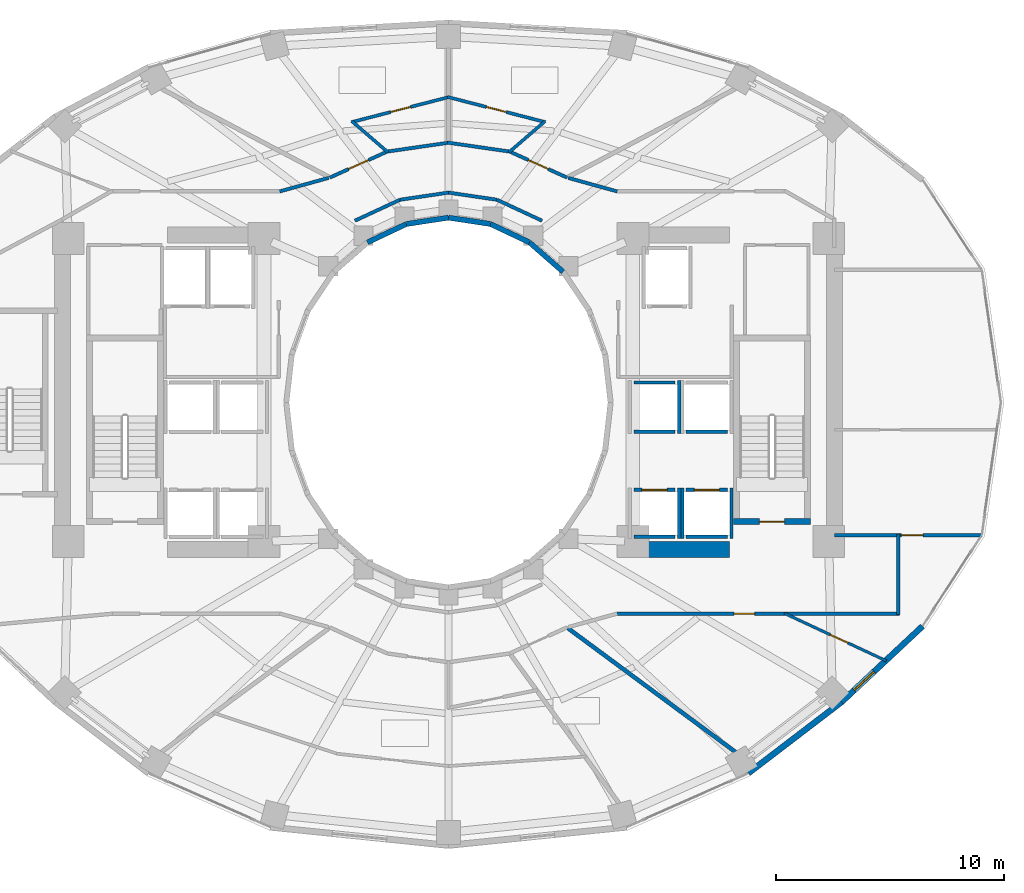
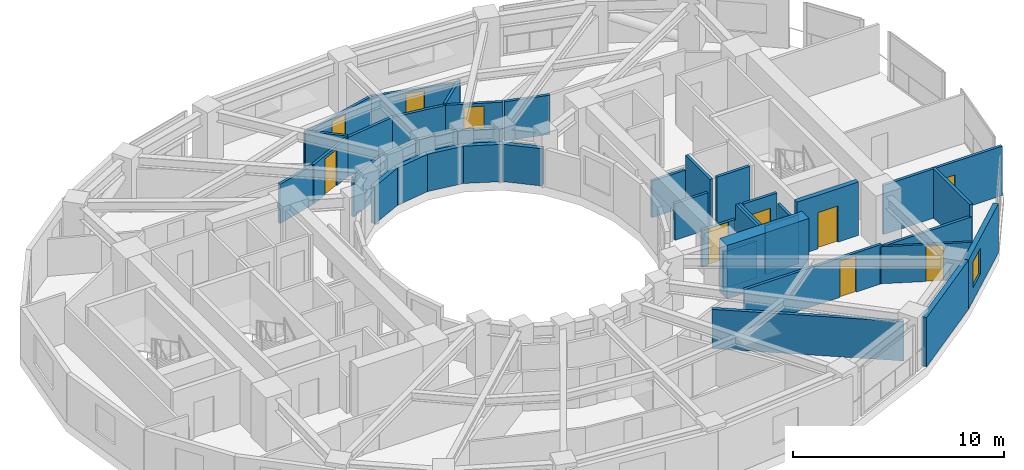
# One storey, part 13 of 18: 40 walls, 10 doors, 1 window, 11 openings.
"""IFC4 building model written with IfcOpenShell, lengths in metres."""

from ifc_helpers import new_model, si_unit, direction, frame, frame_2d, origin, place, context, subcontext, project, spatial, rectangle, extrude, material, layer, layer_set, type_object, element, fill, save


model = new_model("IFC4")

# Units and contexts
model_context = context("Model", 3, precision=1e-05, world=origin(), true_north=direction((0.0, 1.0)))
body_context = subcontext(model_context, "Body", "Model", "MODEL_VIEW")
ifc_project = project(units=[si_unit("LENGTHUNIT", "METRE"), si_unit("AREAUNIT", "SQUARE_METRE"), si_unit("VOLUMEUNIT", "CUBIC_METRE"), si_unit("PLANEANGLEUNIT", "RADIAN"), si_unit("MASSUNIT", "GRAM", prefix="KILO")], contexts=[model_context])

# Site, building, storey
site_placement = place(None, origin())
site = spatial("IfcSite", under=ifc_project, at=site_placement, CompositionType="ELEMENT")
building_placement = place(site_placement, origin())
building = spatial("IfcBuilding", under=site, at=building_placement, Name="Solvane Sanctuary Tower", CompositionType="ELEMENT")
storey_placement = place(building_placement, frame((0.0, 0.0, 94.89990234375)))
storey = spatial("IfcBuildingStorey", under=building, at=storey_placement, Name="L28", CompositionType="ELEMENT", Elevation=94.89990234375)

# Walls
ifc_material_1 = material(Name="Concrete C60/75", Category="concrete")
ifc_layer_1 = layer(ifc_material_1, 0.699951171875, Name="Concrete C60/75")
ifc_layer_set_1 = layer_set([ifc_layer_1], Name="Concrete C60/75")
wall_type_1 = type_object("IfcWallType", Name="Wall W-CORE-700", PredefinedType="SHEAR", material=ifc_layer_set_1)
wall_1_placement = place(storey_placement, frame((39.85009765625, 16.550048828125, 0.0), z_axis=(0.0, 0.0, 1.0), x_axis=(1.0, 0.0, 0.0)))
element("IfcWall", 1, at=wall_1_placement, inside=storey, type_object=wall_type_1, Name="L28 Core Shear Wall EC-S", PredefinedType="SHEAR", context=body_context, shape_type="SweptSolid", body=[
    extrude(rectangle(XDim=4.5, YDim=0.699951171875, at=frame_2d((2.25, 0.0))), origin(), (0.0, 0.0, 1.0), 3.10009765625),
])
ifc_material_2 = material(Name="Acoustic Gypsum Partition Board")
ifc_layer_2 = layer(ifc_material_2, 0.14990234375, Name="Acoustic Gypsum Partition Board")
ifc_layer_set_2 = layer_set([ifc_layer_2], Name="Acoustic Gypsum Partition Board")
wall_type_2 = type_object("IfcWallType", Name="Wall W-CORR-150", PredefinedType="PARTITIONING", material=ifc_layer_set_2)
wall_2_placement = place(storey_placement, frame((36.110107421875, 30.98486328125, 0.0), z_axis=(0.0, 0.0, 1.0), x_axis=(-0.906943449489, 0.421252393975, 0.0)))
element("IfcWall", 2, at=wall_2_placement, inside=storey, type_object=wall_type_2, Name="L28 Light-Well Corridor Rim Wall N1", PredefinedType="PARTITIONING", context=body_context, shape_type="SweptSolid", body=[
    extrude(rectangle(XDim=2.18603515625, YDim=0.14990234375, at=frame_2d((1.093017578125, 0.0))), origin(), (0.0, 0.0, 1.0), 2.272216796875),
])
for number, where, z_axis, x_axis, name in (
    (3, (34.12744140625, 31.90576171875, 0.0), (0.0, 0.0, 1.0), (-0.989268584896, 0.146108408166, 0.0), "L28 Light-Well Corridor Rim Wall N2"),
    (4, (32.0, 32.219970703125, 0.0), (0.0, 0.0, 1.0), (-0.989268584896, -0.146108408166, 0.0), "L28 Light-Well Corridor Rim Wall N3"),
):
    element("IfcWall", number, at=place(storey_placement, frame(where, z_axis=z_axis, x_axis=x_axis)), inside=storey, type_object=wall_type_2, Name=name, PredefinedType="PARTITIONING", context=body_context, shape_type="SweptSolid", body=[
        extrude(rectangle(XDim=2.150634765625, YDim=0.14990234375, at=frame_2d((1.0751953125, 0.0))), origin(), (0.0, 0.0, 1.0), 2.272216796875),
    ])
wall_3_placement = place(storey_placement, frame((29.87255859375, 31.90576171875, 0.0), z_axis=(0.0, 0.0, 1.0), x_axis=(-0.906943449489, -0.421252393975, 0.0)))
element("IfcWall", 5, at=wall_3_placement, inside=storey, type_object=wall_type_2, Name="L28 Light-Well Corridor Rim Wall N4", PredefinedType="PARTITIONING", context=body_context, shape_type="SweptSolid", body=[
    extrude(rectangle(XDim=2.18603515625, YDim=0.14990234375, at=frame_2d((1.093017578125, 0.0))), origin(), (0.0, 0.0, 1.0), 2.272216796875),
])

# Wall, opening, door
wall_4_placement = place(storey_placement, frame((48.949951171875, 17.1748046875, 0.0), z_axis=(0.0, 0.0, 1.0), x_axis=(1.0, 0.0, 0.0)))
wall_4 = element("IfcWall", 6, at=wall_4_placement, inside=storey, type_object=wall_type_2, Name="L28 East Shoulder South Wall", PredefinedType="PARTITIONING", context=body_context, shape_type="SweptSolid", body=[
    extrude(rectangle(XDim=6.49169921875, YDim=0.14990234375, at=frame_2d((3.245849609375, 0.0))), origin(), (0.0, 0.0, 1.0), 2.85498046875),
])
opening_1_placement = place(wall_4_placement, frame((2.947509765625, 0.0, 0.0)))
opening_1 = element("IfcOpeningElement", 7, at=opening_1_placement, cuts=wall_4, Name="Opening D-L28-08", PredefinedType="OPENING", context=body_context, shape_type="SweptSolid", body=[
    extrude(rectangle(XDim=0.949951171875, YDim=2.10009765625, at=frame_2d((0.47509765625, 1.050048828125))), frame((0.0, 0.0849609375, 0.0), z_axis=(0.0, -1.0, 0.0), x_axis=(1.0, 0.0, 0.0)), (0.0, 0.0, 1.0), 0.169921875),
])
ifc_material_3 = material(Name="Engineered Tropical Hardwood", Category="wood")
door_type_1 = type_object("IfcDoorType", Name="Door D-ROOM-950", OperationType="NOTDEFINED", PredefinedType="DOOR", material=ifc_material_3)
door_1_placement = place(opening_1_placement, origin())
door_1 = element("IfcDoor", 8, at=door_1_placement, inside=storey, type_object=door_type_1, Name="L28 East Shoulder South Door", OperationType="SINGLE_SWING_LEFT", OverallHeight=2.10009765625, OverallWidth=0.949951171875, PredefinedType="DOOR", context=body_context, shape_type="SweptSolid", body=[
    extrude(rectangle(XDim=0.949951171875, YDim=2.10009765625, at=frame_2d((0.47509765625, 1.050048828125))), frame((0.0, 0.02490234375, 0.0), z_axis=(0.0, -1.0, 0.0), x_axis=(1.0, 0.0, 0.0)), (0.0, 0.0, 1.0), 0.050048828125),
])
fill(opening_1, door_1)

# Walls
for number, where, z_axis, x_axis, name in (
    (9, (37.258056640625, 32.86669921875, 0.0), (0.0, 0.0, 1.0), (0.963833843713, -0.266503886865, 0.0), "L28 NE Corner Throat Wall"),
    (10, (26.741943359375, 32.86669921875, 0.0), (0.0, 0.0, 1.0), (-0.963833843713, -0.266503886865, 0.0), "L28 NW Corner Throat Wall"),
):
    element("IfcWall", number, at=place(storey_placement, frame(where, z_axis=z_axis, x_axis=x_axis)), inside=storey, type_object=wall_type_2, Name=name, PredefinedType="PARTITIONING", context=body_context, shape_type="SweptSolid", body=[
        extrude(rectangle(XDim=2.231689453125, YDim=0.14990234375, at=frame_2d((1.11572265625, 0.0))), origin(), (0.0, 0.0, 1.0), 2.272216796875),
    ])
wall_5_placement = place(storey_placement, frame((51.760009765625, 13.679931640625, 0.0), z_axis=(0.0, 0.0, 1.0), x_axis=(0.0, 1.0, 0.0)))
element("IfcWall", 11, at=wall_5_placement, inside=storey, type_object=wall_type_2, Name="L28 SE Corner Closer 1", PredefinedType="PARTITIONING", context=body_context, shape_type="SweptSolid", body=[
    extrude(rectangle(XDim=3.534912109375, YDim=0.14990234375, at=frame_2d((1.767578125, 0.0))), origin(), (0.0, 0.0, 1.0), 2.85498046875),
])

# Wall, opening, door
wall_6_placement = place(storey_placement, frame((39.330078125, 13.719970703125, 0.0), z_axis=(0.0, 0.0, 1.0), x_axis=(1.0, 0.0, 0.0)))
wall_6 = element("IfcWall", 12, at=wall_6_placement, inside=storey, type_object=wall_type_2, Name="L28 SE Corner Corridor Wall", PredefinedType="PARTITIONING", context=body_context, shape_type="SweptSolid", body=[
    extrude(rectangle(XDim=7.52001953125, YDim=0.14990234375, at=frame_2d((3.760009765625, 0.0))), origin(), (0.0, 0.0, 1.0), 2.272216796875),
])
opening_2_placement = place(wall_6_placement, frame((5.219970703125, 0.0, 0.0)))
opening_2 = element("IfcOpeningElement", 13, at=opening_2_placement, cuts=wall_6, Name="Opening D-L28-16", PredefinedType="OPENING", context=body_context, shape_type="SweptSolid", body=[
    extrude(rectangle(XDim=0.89990234375, YDim=2.10009765625, at=frame_2d((0.449951171875, 1.050048828125))), frame((0.0, 0.0849609375, 0.0), z_axis=(0.0, -1.0, 0.0), x_axis=(1.0, 0.0, 0.0)), (0.0, 0.0, 1.0), 0.169921875),
])
door_type_2 = type_object("IfcDoorType", Name="Door D-WET-900", OperationType="NOTDEFINED", PredefinedType="DOOR", material=ifc_material_3)
door_2_placement = place(opening_2_placement, origin())
door_2 = element("IfcDoor", 14, at=door_2_placement, inside=storey, type_object=door_type_2, Name="L28 SE Corner Salon Door", OperationType="SINGLE_SWING_LEFT", OverallHeight=2.10009765625, OverallWidth=0.89990234375, PredefinedType="DOOR", context=body_context, shape_type="SweptSolid", body=[
    extrude(rectangle(XDim=0.89990234375, YDim=2.10009765625, at=frame_2d((0.449951171875, 1.050048828125))), frame((0.0, 0.02490234375, 0.0), z_axis=(0.0, -1.0, 0.0), x_axis=(1.0, 0.0, 0.0)), (0.0, 0.0, 1.0), 0.050048828125),
])
fill(opening_2, door_2)

# Walls
wall_7_placement = place(storey_placement, frame((46.75, 13.719970703125, 0.0), z_axis=(0.0, 0.0, 1.0), x_axis=(1.0, 0.0, 0.0)))
element("IfcWall", 15, at=wall_7_placement, inside=storey, type_object=wall_type_2, Name="L28 SE Corner Wing Wall", PredefinedType="PARTITIONING", context=body_context, shape_type="SweptSolid", body=[
    extrude(rectangle(XDim=5.050048828125, YDim=0.14990234375, at=frame_2d((2.52490234375, 0.0))), origin(), (0.0, 0.0, 1.0), 2.14208984375),
])
wall_8_placement = place(storey_placement, frame((34.743896484375, 34.01416015625, 0.0), z_axis=(0.0, 0.0, 1.0), x_axis=(-0.989761784218, 0.142729150844, 0.0)))
element("IfcWall", 16, at=wall_8_placement, inside=storey, type_object=wall_type_2, Name="L28 En-suite Inner Wall N1", PredefinedType="PARTITIONING", context=body_context, shape_type="SweptSolid", body=[
    extrude(rectangle(XDim=2.822265625, YDim=0.14990234375, at=frame_2d((1.4111328125, 0.0))), origin(), (0.0, 0.0, 1.0), 2.272216796875),
])

# Wall, opening, door
wall_9_placement = place(storey_placement, frame((37.211181640625, 32.87744140625, 0.0), z_axis=(0.0, 0.0, 1.0), x_axis=(-0.910568469686, 0.41335827319, 0.0)))
wall_9 = element("IfcWall", 17, at=wall_9_placement, inside=storey, type_object=wall_type_2, Name="L28 Unit Corridor Wall N1", PredefinedType="PARTITIONING", context=body_context, shape_type="SweptSolid", body=[
    extrude(rectangle(XDim=2.771728515625, YDim=0.14990234375, at=frame_2d((1.3857421875, 0.0))), origin(), (0.0, 0.0, 1.0), 2.272216796875),
])
opening_3_placement = place(wall_9_placement, frame((0.910888671875, 0.0, 0.0)))
opening_3 = element("IfcOpeningElement", 18, at=opening_3_placement, cuts=wall_9, Name="Opening D-L28-18", PredefinedType="OPENING", context=body_context, shape_type="SweptSolid", body=[
    extrude(rectangle(XDim=0.949951171875, YDim=2.10009765625, at=frame_2d((0.47509765625, 1.050048828125))), frame((0.0, 0.0849609375, 0.0), z_axis=(0.0, -1.0, 0.0), x_axis=(1.0, 0.0, 0.0)), (0.0, 0.0, 1.0), 0.169921875),
])
door_3_placement = place(opening_3_placement, origin())
door_3 = element("IfcDoor", 19, at=door_3_placement, inside=storey, type_object=door_type_1, Name="L28 Unit Entrance Door N1", OperationType="SINGLE_SWING_LEFT", OverallHeight=2.10009765625, OverallWidth=0.949951171875, PredefinedType="DOOR", context=body_context, shape_type="SweptSolid", body=[
    extrude(rectangle(XDim=0.949951171875, YDim=2.10009765625, at=frame_2d((0.47509765625, 1.050048828125))), frame((0.0, 0.02490234375, 0.0), z_axis=(0.0, -1.0, 0.0), x_axis=(1.0, 0.0, 0.0)), (0.0, 0.0, 1.0), 0.050048828125),
])
fill(opening_3, door_3)

# Wall
wall_10_placement = place(storey_placement, frame((32.049560546875, 34.4169921875, 0.0), z_axis=(0.0, 0.0, 1.0), x_axis=(-0.989761784218, -0.142729150844, 0.0)))
element("IfcWall", 20, at=wall_10_placement, inside=storey, type_object=wall_type_2, Name="L28 En-suite Inner Wall N2", PredefinedType="PARTITIONING", context=body_context, shape_type="SweptSolid", body=[
    extrude(rectangle(XDim=2.822265625, YDim=0.14990234375, at=frame_2d((1.4111328125, 0.0))), origin(), (0.0, 0.0, 1.0), 2.272216796875),
])

# Wall, opening, door
wall_11_placement = place(storey_placement, frame((29.312744140625, 34.023193359375, 0.0), z_axis=(0.0, 0.0, 1.0), x_axis=(-0.910568469686, -0.41335827319, 0.0)))
wall_11 = element("IfcWall", 21, at=wall_11_placement, inside=storey, type_object=wall_type_2, Name="L28 Unit Corridor Wall N2", PredefinedType="PARTITIONING", context=body_context, shape_type="SweptSolid", body=[
    extrude(rectangle(XDim=2.771728515625, YDim=0.14990234375, at=frame_2d((1.3857421875, 0.0))), origin(), (0.0, 0.0, 1.0), 2.272216796875),
])
opening_4_placement = place(wall_11_placement, frame((0.910888671875, 0.0, 0.0)))
opening_4 = element("IfcOpeningElement", 22, at=opening_4_placement, cuts=wall_11, Name="Opening D-L28-20", PredefinedType="OPENING", context=body_context, shape_type="SweptSolid", body=[
    extrude(rectangle(XDim=0.949951171875, YDim=2.10009765625, at=frame_2d((0.47509765625, 1.050048828125))), frame((0.0, 0.0849609375, 0.0), z_axis=(0.0, -1.0, 0.0), x_axis=(1.0, 0.0, 0.0)), (0.0, 0.0, 1.0), 0.169921875),
])
door_4_placement = place(opening_4_placement, origin())
door_4 = element("IfcDoor", 23, at=door_4_placement, inside=storey, type_object=door_type_1, Name="L28 Unit Entrance Door N2", OperationType="SINGLE_SWING_LEFT", OverallHeight=2.10009765625, OverallWidth=0.949951171875, PredefinedType="DOOR", context=body_context, shape_type="SweptSolid", body=[
    extrude(rectangle(XDim=0.949951171875, YDim=2.10009765625, at=frame_2d((0.47509765625, 1.050048828125))), frame((0.0, 0.02490234375, 0.0), z_axis=(0.0, -1.0, 0.0), x_axis=(1.0, 0.0, 0.0)), (0.0, 0.0, 1.0), 0.050048828125),
])
fill(opening_4, door_4)

# Wall
ifc_material_4 = material(Name="Precast concrete C40/50", Category="concrete")
ifc_layer_3 = layer(ifc_material_4, 0.260009765625, Name="Precast concrete C40/50")
ifc_layer_set_3 = layer_set([ifc_layer_3], Name="Precast concrete C40/50")
wall_type_3 = type_object("IfcWallType", Name="Wall W-EXT-250", PredefinedType="STANDARD", material=ifc_layer_set_3)
wall_12_placement = place(storey_placement, frame((45.17333984375, 6.721923828125, 0.0), z_axis=(0.0, 0.0, 1.0), x_axis=(0.794809810864, 0.606858603427, 0.0)))
element("IfcWall", 24, at=wall_12_placement, inside=storey, type_object=wall_type_3, Name="L28 Ceramic-Printed Facade Wall 20", PredefinedType="STANDARD", context=body_context, shape_type="SweptSolid", body=[
    extrude(rectangle(XDim=5.149169921875, YDim=0.260009765625, at=frame_2d((2.57470703125, 0.0))), origin(), (0.0, 0.0, 1.0), 2.85009765625),
])

# Wall, opening, window
wall_13_placement = place(storey_placement, frame((49.265869140625, 9.8466796875, 0.0), z_axis=(0.0, 0.0, 1.0), x_axis=(0.730162452258, 0.68327358599, 0.0)))
wall_13 = element("IfcWall", 25, at=wall_13_placement, inside=storey, type_object=wall_type_3, Name="L28 Ceramic-Printed Facade Wall 21", PredefinedType="STANDARD", context=body_context, shape_type="SweptSolid", body=[
    extrude(rectangle(XDim=4.868408203125, YDim=0.260009765625, at=frame_2d((2.43408203125, 0.0))), origin(), (0.0, 0.0, 1.0), 2.85009765625),
])
opening_5_placement = place(wall_13_placement, frame((0.754638671875, 0.0, 0.75)))
opening_5 = element("IfcOpeningElement", 26, at=opening_5_placement, cuts=wall_13, Name="Opening WN-OPER-1200", PredefinedType="OPENING", context=body_context, shape_type="SweptSolid", body=[
    extrude(rectangle(XDim=1.199951171875, YDim=1.5, at=frame_2d((0.60009765625, 0.75))), frame((0.0, 0.139892578125, 0.0), z_axis=(0.0, -1.0, 0.0), x_axis=(1.0, 0.0, 0.0)), (0.0, 0.0, 1.0), 0.280029296875),
])
ifc_material_5 = material(Name="Dark Ceramic-Fritted Low-E Glass", Category="glass")
window_type = type_object("IfcWindowType", Name="Window WN-OPER-1200", PartitioningType="SINGLE_PANEL", PredefinedType="WINDOW", material=ifc_material_5)
window_placement = place(opening_5_placement, origin())
window = element("IfcWindow", 27, at=window_placement, inside=storey, type_object=window_type, Name="L28 Operable Facade Window 21", OverallHeight=1.5, OverallWidth=1.199951171875, PartitioningType="SINGLE_PANEL", PredefinedType="WINDOW", context=body_context, shape_type="SweptSolid", body=[
    extrude(rectangle(XDim=1.199951171875, YDim=1.5, at=frame_2d((0.60009765625, 0.75))), frame((0.0, 0.030029296875, 0.0), z_axis=(0.0, -1.0, 0.0), x_axis=(1.0, 0.0, 0.0)), (0.0, 0.0, 1.0), 0.06005859375),
])
fill(opening_5, window)

# Walls
ifc_layer_4 = layer(ifc_material_4, 0.22998046875, Name="Precast concrete C40/50")
ifc_layer_set_4 = layer_set([ifc_layer_4], Name="Precast concrete C40/50")
wall_type_4 = type_object("IfcWallType", Name="Wall W-EXT-SP220", PredefinedType="STANDARD", material=ifc_layer_set_4)
wall_14_placement = place(storey_placement, frame((37.03466796875, 28.74169921875, 0.0), z_axis=(0.0, 0.0, 1.0), x_axis=(-0.752576694707, 0.658504607869, 0.0)))
element("IfcWall", 28, at=wall_14_placement, inside=storey, type_object=wall_type_4, Name="L28 Central Light-Well Wall 03", PredefinedType="STANDARD", context=body_context, shape_type="SweptSolid", body=[
    extrude(rectangle(XDim=1.95947265625, YDim=0.22998046875, at=frame_2d((0.979736328125, 0.0))), origin(), (0.0, 0.0, 1.0), 2.16015625),
])
wall_15_placement = place(storey_placement, frame((35.56005859375, 30.031982421875, 0.0), z_axis=(0.0, 0.0, 1.0), x_axis=(-0.904179699603, 0.427152280606, 0.0)))
element("IfcWall", 29, at=wall_15_placement, inside=storey, type_object=wall_type_4, Name="L28 Central Light-Well Wall 04", PredefinedType="STANDARD", context=body_context, shape_type="SweptSolid", body=[
    extrude(rectangle(XDim=1.899169921875, YDim=0.22998046875, at=frame_2d((0.94970703125, 0.0))), origin(), (0.0, 0.0, 1.0), 2.16015625),
])
for number, where, z_axis, x_axis, name in (
    (30, (33.8427734375, 30.84326171875, 0.0), (0.0, 0.0, 1.0), (-0.988901730308, 0.148571086668, 0.0), "L28 Central Light-Well Wall 05"),
    (31, (32.0, 31.1201171875, 0.0), (0.0, 0.0, 1.0), (-0.988901730308, -0.148571086668, 0.0), "L28 Central Light-Well Wall 06"),
):
    element("IfcWall", number, at=place(storey_placement, frame(where, z_axis=z_axis, x_axis=x_axis)), inside=storey, type_object=wall_type_4, Name=name, PredefinedType="STANDARD", context=body_context, shape_type="SweptSolid", body=[
        extrude(rectangle(XDim=1.863525390625, YDim=0.22998046875, at=frame_2d((0.931640625, 0.0))), origin(), (0.0, 0.0, 1.0), 2.16015625),
    ])
wall_16_placement = place(storey_placement, frame((30.1572265625, 30.84326171875, 0.0), z_axis=(0.0, 0.0, 1.0), x_axis=(-0.904179699603, -0.427152280606, 0.0)))
element("IfcWall", 32, at=wall_16_placement, inside=storey, type_object=wall_type_4, Name="L28 Central Light-Well Wall 07", PredefinedType="STANDARD", context=body_context, shape_type="SweptSolid", body=[
    extrude(rectangle(XDim=1.899169921875, YDim=0.22998046875, at=frame_2d((0.94970703125, 0.0))), origin(), (0.0, 0.0, 1.0), 2.16015625),
])

# Wall, opening, door
ifc_layer_5 = layer(ifc_material_2, 0.1201171875, Name="Acoustic Gypsum Partition Board")
ifc_layer_set_5 = layer_set([ifc_layer_5], Name="Acoustic Gypsum Partition Board")
wall_type_5 = type_object("IfcWallType", Name="Wall W-MOV-100", PredefinedType="MOVABLE", material=ifc_layer_set_5)
wall_17_placement = place(storey_placement, frame((46.754638671875, 13.7412109375, 0.0), z_axis=(0.0, 0.0, 1.0), x_axis=(0.906244997559, -0.422752888102, 0.0)))
wall_17 = element("IfcWall", 33, at=wall_17_placement, inside=storey, type_object=wall_type_5, Name="L28 SE Corner Suite Partition", PredefinedType="MOVABLE", context=body_context, shape_type="SweptSolid", body=[
    extrude(rectangle(XDim=4.93994140625, YDim=0.1201171875, at=frame_2d((2.469970703125, 0.0))), origin(), (0.0, 0.0, 1.0), 2.14208984375),
])
opening_6_placement = place(wall_17_placement, frame((2.219970703125, 0.0, 0.0)))
opening_6 = element("IfcOpeningElement", 34, at=opening_6_placement, cuts=wall_17, Name="Opening D-L28-15", PredefinedType="OPENING", context=body_context, shape_type="SweptSolid", body=[
    extrude(rectangle(XDim=0.85009765625, YDim=2.050048828125, at=frame_2d((0.425048828125, 1.02490234375))), frame((0.0, 0.070068359375, 0.0), z_axis=(0.0, -1.0, 0.0), x_axis=(1.0, 0.0, 0.0)), (0.0, 0.0, 1.0), 0.14013671875),
])
ifc_material_6 = material(Name="Architectural Stainless Steel 316", Category="steel")
door_type_3 = type_object("IfcDoorType", Name="Door D-RISER", OperationType="NOTDEFINED", PredefinedType="DOOR", material=ifc_material_6)
door_5_placement = place(opening_6_placement, origin())
door_5 = element("IfcDoor", 35, at=door_5_placement, inside=storey, type_object=door_type_3, Name="L28 SE Corner Suite Door", OperationType="SINGLE_SWING_RIGHT", OverallHeight=2.050048828125, OverallWidth=0.85009765625, PredefinedType="DOOR", context=body_context, shape_type="SweptSolid", body=[
    extrude(rectangle(XDim=0.85009765625, YDim=2.050048828125, at=frame_2d((0.425048828125, 1.02490234375))), frame((0.0, 0.02490234375, 0.0), z_axis=(0.0, -1.0, 0.0), x_axis=(1.0, 0.0, 0.0)), (0.0, 0.0, 1.0), 0.050048828125),
])
fill(opening_6, door_5)

ifc_material_7 = material(Name="Concrete C50/60", Category="concrete")
ifc_layer_6 = layer(ifc_material_7, 0.14990234375, Name="Concrete C50/60")
ifc_layer_set_6 = layer_set([ifc_layer_6], Name="Concrete C50/60")
wall_type_6 = type_object("IfcWallType", Name="Wall W-SHAFT-150", PredefinedType="SOLIDWALL", material=ifc_layer_set_6)
wall_18_placement = place(storey_placement, frame((40.139892578125, 19.159912109375, 0.0), z_axis=(0.0, 0.0, 1.0), x_axis=(1.0, 0.0, 0.0)))
wall_18 = element("IfcWall", 36, at=wall_18_placement, inside=storey, type_object=wall_type_6, Name="L28 PL-3 Lift Shaft Wall F", PredefinedType="SOLIDWALL", context=body_context, shape_type="SweptSolid", body=[
    extrude(rectangle(XDim=1.820068359375, YDim=0.14990234375, at=frame_2d((0.91015625, 0.0))), origin(), (0.0, 0.0, 1.0), 2.1201171875),
])
opening_7_placement = place(wall_18_placement, frame((0.360107421875, 0.0, 0.0)))
opening_7 = element("IfcOpeningElement", 37, at=opening_7_placement, cuts=wall_18, Name="Opening LD-L28-03", PredefinedType="OPENING", context=body_context, shape_type="SweptSolid", body=[
    extrude(rectangle(XDim=1.10009765625, YDim=2.10009765625, at=frame_2d((0.550048828125, 1.050048828125))), frame((0.0, 0.0849609375, 0.0), z_axis=(0.0, -1.0, 0.0), x_axis=(1.0, 0.0, 0.0)), (0.0, 0.0, 1.0), 0.169921875),
])
door_type_4 = type_object("IfcDoorType", Name="Door LD-PASS-1100", OperationType="NOTDEFINED", PredefinedType="DOOR", material=ifc_material_6)
door_6_placement = place(opening_7_placement, origin())
door_6 = element("IfcDoor", 38, at=door_6_placement, inside=storey, type_object=door_type_4, Name="L28 PL-3 Lift Landing Door", OperationType="DOUBLE_DOOR_SLIDING", OverallHeight=2.10009765625, OverallWidth=1.10009765625, PredefinedType="DOOR", context=body_context, shape_type="SweptSolid", body=[
    extrude(rectangle(XDim=1.10009765625, YDim=2.10009765625, at=frame_2d((0.550048828125, 1.050048828125))), frame((0.0, 0.02490234375, 0.0), z_axis=(0.0, -1.0, 0.0), x_axis=(1.0, 0.0, 0.0)), (0.0, 0.0, 1.0), 0.050048828125),
])
fill(opening_7, door_6)

# Walls
wall_19_placement = place(storey_placement, frame((40.139892578125, 17.10009765625, 0.0), z_axis=(0.0, 0.0, 1.0), x_axis=(1.0, 0.0, 0.0)))
element("IfcWall", 39, at=wall_19_placement, inside=storey, type_object=wall_type_6, Name="L28 PL-3 Lift Shaft Wall B", PredefinedType="SOLIDWALL", context=body_context, shape_type="SweptSolid", body=[
    extrude(rectangle(XDim=1.820068359375, YDim=0.14990234375, at=frame_2d((0.91015625, 0.0))), origin(), (0.0, 0.0, 1.0), 2.1201171875),
])
wall_20_placement = place(storey_placement, frame((42.1298828125, 17.02001953125, 0.0), z_axis=(0.0, 0.0, 1.0), x_axis=(0.0, 1.0, 0.0)))
element("IfcWall", 40, at=wall_20_placement, inside=storey, type_object=wall_type_6, Name="L28 PL-3 Lift Shaft Wall S2", PredefinedType="SOLIDWALL", context=body_context, shape_type="SweptSolid", body=[
    extrude(rectangle(XDim=2.219970703125, YDim=0.14990234375, at=frame_2d((1.10986328125, 0.0))), origin(), (0.0, 0.0, 1.0), 2.85498046875),
])

# Wall, opening, door
wall_21_placement = place(storey_placement, frame((42.43994140625, 19.159912109375, 0.0), z_axis=(0.0, 0.0, 1.0), x_axis=(1.0, 0.0, 0.0)))
wall_21 = element("IfcWall", 41, at=wall_21_placement, inside=storey, type_object=wall_type_6, Name="L28 PL-4 Lift Shaft Wall F", PredefinedType="SOLIDWALL", context=body_context, shape_type="SweptSolid", body=[
    extrude(rectangle(XDim=1.820068359375, YDim=0.14990234375, at=frame_2d((0.91015625, 0.0))), origin(), (0.0, 0.0, 1.0), 2.85498046875),
])
opening_8_placement = place(wall_21_placement, frame((0.360107421875, 0.0, 0.0)))
opening_8 = element("IfcOpeningElement", 42, at=opening_8_placement, cuts=wall_21, Name="Opening LD-L28-04", PredefinedType="OPENING", context=body_context, shape_type="SweptSolid", body=[
    extrude(rectangle(XDim=1.10009765625, YDim=2.10009765625, at=frame_2d((0.550048828125, 1.050048828125))), frame((0.0, 0.0849609375, 0.0), z_axis=(0.0, -1.0, 0.0), x_axis=(1.0, 0.0, 0.0)), (0.0, 0.0, 1.0), 0.169921875),
])
door_7_placement = place(opening_8_placement, origin())
door_7 = element("IfcDoor", 43, at=door_7_placement, inside=storey, type_object=door_type_4, Name="L28 PL-4 Lift Landing Door", OperationType="DOUBLE_DOOR_SLIDING", OverallHeight=2.10009765625, OverallWidth=1.10009765625, PredefinedType="DOOR", context=body_context, shape_type="SweptSolid", body=[
    extrude(rectangle(XDim=1.10009765625, YDim=2.10009765625, at=frame_2d((0.550048828125, 1.050048828125))), frame((0.0, 0.02490234375, 0.0), z_axis=(0.0, -1.0, 0.0), x_axis=(1.0, 0.0, 0.0)), (0.0, 0.0, 1.0), 0.050048828125),
])
fill(opening_8, door_7)

# Walls
wall_22_placement = place(storey_placement, frame((42.43994140625, 17.10009765625, 0.0), z_axis=(0.0, 0.0, 1.0), x_axis=(1.0, 0.0, 0.0)))
element("IfcWall", 44, at=wall_22_placement, inside=storey, type_object=wall_type_6, Name="L28 PL-4 Lift Shaft Wall B", PredefinedType="SOLIDWALL", context=body_context, shape_type="SweptSolid", body=[
    extrude(rectangle(XDim=1.820068359375, YDim=0.14990234375, at=frame_2d((0.91015625, 0.0))), origin(), (0.0, 0.0, 1.0), 2.85498046875),
])
wall_23_placement = place(storey_placement, frame((42.27001953125, 17.02001953125, 0.0), z_axis=(0.0, 0.0, 1.0), x_axis=(0.0, 1.0, 0.0)))
element("IfcWall", 45, at=wall_23_placement, inside=storey, type_object=wall_type_6, Name="L28 PL-4 Lift Shaft Wall S1", PredefinedType="SOLIDWALL", context=body_context, shape_type="SweptSolid", body=[
    extrude(rectangle(XDim=2.219970703125, YDim=0.14990234375, at=frame_2d((1.10986328125, 0.0))), origin(), (0.0, 0.0, 1.0), 2.85498046875),
])
wall_24_placement = place(storey_placement, frame((44.429931640625, 17.02001953125, 0.0), z_axis=(0.0, 0.0, 1.0), x_axis=(0.0, 1.0, 0.0)))
element("IfcWall", 46, at=wall_24_placement, inside=storey, type_object=wall_type_6, Name="L28 PL-4 Lift Shaft Wall S2", PredefinedType="SOLIDWALL", context=body_context, shape_type="SweptSolid", body=[
    extrude(rectangle(XDim=2.219970703125, YDim=0.14990234375, at=frame_2d((1.10986328125, 0.0))), origin(), (0.0, 0.0, 1.0), 2.1201171875),
])
wall_25_placement = place(storey_placement, frame((42.43994140625, 21.719970703125, 0.0), z_axis=(0.0, 0.0, 1.0), x_axis=(1.0, 0.0, 0.0)))
element("IfcWall", 47, at=wall_25_placement, inside=storey, type_object=wall_type_6, Name="L28 PM-2 Lift Shaft Wall F", PredefinedType="SOLIDWALL", context=body_context, shape_type="SweptSolid", body=[
    extrude(rectangle(XDim=1.820068359375, YDim=0.14990234375, at=frame_2d((0.91015625, 0.0))), origin(), (0.0, 0.0, 1.0), 2.85498046875),
])
for number, where, z_axis, x_axis, name in (
    (48, (40.139892578125, 21.719970703125, 0.0), (0.0, 0.0, 1.0), (1.0, 0.0, 0.0), "L28 PH-2 Lift Shaft Wall F"),
    (49, (40.139892578125, 23.8798828125, 0.0), (0.0, 0.0, 1.0), (1.0, 0.0, 0.0), "L28 PH-2 Lift Shaft Wall B"),
):
    element("IfcWall", number, at=place(storey_placement, frame(where, z_axis=z_axis, x_axis=x_axis)), inside=storey, type_object=wall_type_6, Name=name, PredefinedType="SOLIDWALL", context=body_context, shape_type="SweptSolid", body=[
        extrude(rectangle(XDim=1.820068359375, YDim=0.14990234375, at=frame_2d((0.91015625, 0.0))), origin(), (0.0, 0.0, 1.0), 2.1201171875),
    ])
wall_26_placement = place(storey_placement, frame((42.1298828125, 21.639892578125, 0.0), z_axis=(0.0, 0.0, 1.0), x_axis=(0.0, 1.0, 0.0)))
element("IfcWall", 50, at=wall_26_placement, inside=storey, type_object=wall_type_6, Name="L28 PH-2 Lift Shaft Wall S2", PredefinedType="SOLIDWALL", context=body_context, shape_type="SweptSolid", body=[
    extrude(rectangle(XDim=2.320068359375, YDim=0.14990234375, at=frame_2d((1.16015625, 0.0))), origin(), (0.0, 0.0, 1.0), 2.85498046875),
])

# Wall, opening, door
ifc_layer_7 = layer(ifc_material_7, 0.25, Name="Concrete C50/60")
ifc_layer_set_7 = layer_set([ifc_layer_7], Name="Concrete C50/60")
wall_type_7 = type_object("IfcWallType", Name="Wall W-SHAFT-250", PredefinedType="SOLIDWALL", material=ifc_layer_set_7)
wall_27_placement = place(storey_placement, frame((44.52490234375, 17.77001953125, 0.0), z_axis=(0.0, 0.0, 1.0), x_axis=(1.0, 0.0, 0.0)))
wall_27 = element("IfcWall", 51, at=wall_27_placement, inside=storey, type_object=wall_type_7, Name="L28 ST-2 Load-Bearing Shaft Wall S", PredefinedType="SOLIDWALL", context=body_context, shape_type="SweptSolid", body=[
    extrude(rectangle(XDim=3.3701171875, YDim=0.25, at=frame_2d((1.68505859375, 0.0))), origin(), (0.0, 0.0, 1.0), 3.10009765625),
])
opening_9_placement = place(wall_27_placement, frame((1.135009765625, 0.0, 0.0)))
opening_9 = element("IfcOpeningElement", 52, at=opening_9_placement, cuts=wall_27, Name="Opening D-L28-02", PredefinedType="OPENING", context=body_context, shape_type="SweptSolid", body=[
    extrude(rectangle(XDim=1.10009765625, YDim=2.10009765625, at=frame_2d((0.550048828125, 1.050048828125))), frame((0.0, 0.135009765625, 0.0), z_axis=(0.0, -1.0, 0.0), x_axis=(1.0, 0.0, 0.0)), (0.0, 0.0, 1.0), 0.27001953125),
])
door_type_5 = type_object("IfcDoorType", Name="Door D-STAIR", OperationType="NOTDEFINED", PredefinedType="DOOR", material=ifc_material_6)
door_8_placement = place(opening_9_placement, origin())
door_8 = element("IfcDoor", 53, at=door_8_placement, inside=storey, type_object=door_type_5, Name="L28 ST-2 Exit Stair Fire Door", OperationType="SINGLE_SWING_LEFT", OverallHeight=2.10009765625, OverallWidth=1.10009765625, PredefinedType="DOOR", context=body_context, shape_type="SweptSolid", body=[
    extrude(rectangle(XDim=1.10009765625, YDim=2.10009765625, at=frame_2d((0.550048828125, 1.050048828125))), frame((0.0, 0.02490234375, 0.0), z_axis=(0.0, -1.0, 0.0), x_axis=(1.0, 0.0, 0.0)), (0.0, 0.0, 1.0), 0.050048828125),
])
fill(opening_9, door_8)

# Walls
ifc_layer_8 = layer(ifc_material_2, 0.179931640625, Name="Acoustic Gypsum Partition Board")
ifc_layer_set_8 = layer_set([ifc_layer_8], Name="Acoustic Gypsum Partition Board")
wall_type_8 = type_object("IfcWallType", Name="Wall W-UNIT-180", PredefinedType="PARTITIONING", material=ifc_layer_set_8)
wall_28_placement = place(storey_placement, frame((37.249267578125, 13.0859375, 0.0), z_axis=(0.0, 0.0, 1.0), x_axis=(0.80430981394, -0.594210167533, 0.0)))
element("IfcWall", 54, at=wall_28_placement, inside=storey, type_object=wall_type_8, Name="L28 Radial Compartment Wall 300", PredefinedType="PARTITIONING", context=body_context, shape_type="SweptSolid", body=[
    extrude(rectangle(XDim=9.146240234375, YDim=0.179931640625, at=frame_2d((4.5732421875, 0.0))), origin(), (0.0, 0.0, 1.0), 2.272216796875),
])
ifc_layer_9 = layer(ifc_material_2, 0.139892578125, Name="Acoustic Gypsum Partition Board")
ifc_layer_set_9 = layer_set([ifc_layer_9], Name="Acoustic Gypsum Partition Board")
wall_type_9 = type_object("IfcWallType", Name="Wall W-WET-140", PredefinedType="PLUMBINGWALL", material=ifc_layer_set_9)
wall_29_placement = place(storey_placement, frame((34.656494140625, 33.988525390625, 0.0), z_axis=(0.0, 0.0, 1.0), x_axis=(0.757267205396, 0.653105182671, 0.0)))
element("IfcWall", 55, at=wall_29_placement, inside=storey, type_object=wall_type_9, Name="L28 En-suite Side Partition N1", PredefinedType="PLUMBINGWALL", context=body_context, shape_type="SweptSolid", body=[
    extrude(rectangle(XDim=2.10009765625, YDim=0.139892578125, at=frame_2d((1.050048828125, 0.0))), origin(), (0.0, 0.0, 1.0), 2.385009765625),
])

# Wall, opening, door
wall_30_placement = place(storey_placement, frame((36.25732421875, 35.314697265625, 0.0), z_axis=(0.0, 0.0, 1.0), x_axis=(-0.968452807179, 0.249197031015, 0.0)))
wall_30 = element("IfcWall", 56, at=wall_30_placement, inside=storey, type_object=wall_type_9, Name="L28 En-suite Bedroom Wall N1", PredefinedType="PLUMBINGWALL", context=body_context, shape_type="SweptSolid", body=[
    extrude(rectangle(XDim=4.44580078125, YDim=0.139892578125, at=frame_2d((2.222900390625, 0.0))), origin(), (0.0, 0.0, 1.0), 2.272216796875),
])
opening_10_placement = place(wall_30_placement, frame((1.77294921875, 0.0, 0.0)))
opening_10 = element("IfcOpeningElement", 57, at=opening_10_placement, cuts=wall_30, Name="Opening D-L28-17", PredefinedType="OPENING", context=body_context, shape_type="SweptSolid", body=[
    extrude(rectangle(XDim=0.89990234375, YDim=2.10009765625, at=frame_2d((0.449951171875, 1.050048828125))), frame((0.0, 0.079833984375, 0.0), z_axis=(0.0, -1.0, 0.0), x_axis=(1.0, 0.0, 0.0)), (0.0, 0.0, 1.0), 0.159912109375),
])
door_9_placement = place(opening_10_placement, origin())
door_9 = element("IfcDoor", 58, at=door_9_placement, inside=storey, type_object=door_type_2, Name="L28 En-suite Bathroom Door N1", OperationType="SINGLE_SWING_RIGHT", OverallHeight=2.10009765625, OverallWidth=0.89990234375, PredefinedType="DOOR", context=body_context, shape_type="SweptSolid", body=[
    extrude(rectangle(XDim=0.89990234375, YDim=2.10009765625, at=frame_2d((0.449951171875, 1.050048828125))), frame((0.0, 0.02490234375, 0.0), z_axis=(0.0, -1.0, 0.0), x_axis=(1.0, 0.0, 0.0)), (0.0, 0.0, 1.0), 0.050048828125),
])
fill(opening_10, door_9)

# Wall
wall_31_placement = place(storey_placement, frame((29.343505859375, 33.988525390625, 0.0), z_axis=(0.0, 0.0, 1.0), x_axis=(-0.757267205396, 0.653105182671, 0.0)))
element("IfcWall", 59, at=wall_31_placement, inside=storey, type_object=wall_type_9, Name="L28 En-suite Side Partition N2", PredefinedType="PLUMBINGWALL", context=body_context, shape_type="SweptSolid", body=[
    extrude(rectangle(XDim=2.10009765625, YDim=0.139892578125, at=frame_2d((1.050048828125, 0.0))), origin(), (0.0, 0.0, 1.0), 2.385009765625),
])

# Wall, opening, door
wall_32_placement = place(storey_placement, frame((32.04833984375, 36.422607421875, 0.0), z_axis=(0.0, 0.0, 1.0), x_axis=(-0.968452807179, -0.249197031015, 0.0)))
wall_32 = element("IfcWall", 60, at=wall_32_placement, inside=storey, type_object=wall_type_9, Name="L28 En-suite Bedroom Wall N2", PredefinedType="PLUMBINGWALL", context=body_context, shape_type="SweptSolid", body=[
    extrude(rectangle(XDim=4.44580078125, YDim=0.139892578125, at=frame_2d((2.222900390625, 0.0))), origin(), (0.0, 0.0, 1.0), 2.272216796875),
])
opening_11_placement = place(wall_32_placement, frame((1.77294921875, 0.0, 0.0)))
opening_11 = element("IfcOpeningElement", 61, at=opening_11_placement, cuts=wall_32, Name="Opening D-L28-19", PredefinedType="OPENING", context=body_context, shape_type="SweptSolid", body=[
    extrude(rectangle(XDim=0.89990234375, YDim=2.10009765625, at=frame_2d((0.449951171875, 1.050048828125))), frame((0.0, 0.079833984375, 0.0), z_axis=(0.0, -1.0, 0.0), x_axis=(1.0, 0.0, 0.0)), (0.0, 0.0, 1.0), 0.159912109375),
])
door_10_placement = place(opening_11_placement, origin())
door_10 = element("IfcDoor", 62, at=door_10_placement, inside=storey, type_object=door_type_2, Name="L28 En-suite Bathroom Door N2", OperationType="SINGLE_SWING_RIGHT", OverallHeight=2.10009765625, OverallWidth=0.89990234375, PredefinedType="DOOR", context=body_context, shape_type="SweptSolid", body=[
    extrude(rectangle(XDim=0.89990234375, YDim=2.10009765625, at=frame_2d((0.449951171875, 1.050048828125))), frame((0.0, 0.02490234375, 0.0), z_axis=(0.0, -1.0, 0.0), x_axis=(1.0, 0.0, 0.0)), (0.0, 0.0, 1.0), 0.050048828125),
])
fill(opening_11, door_10)

save(model, "model.ifc")
